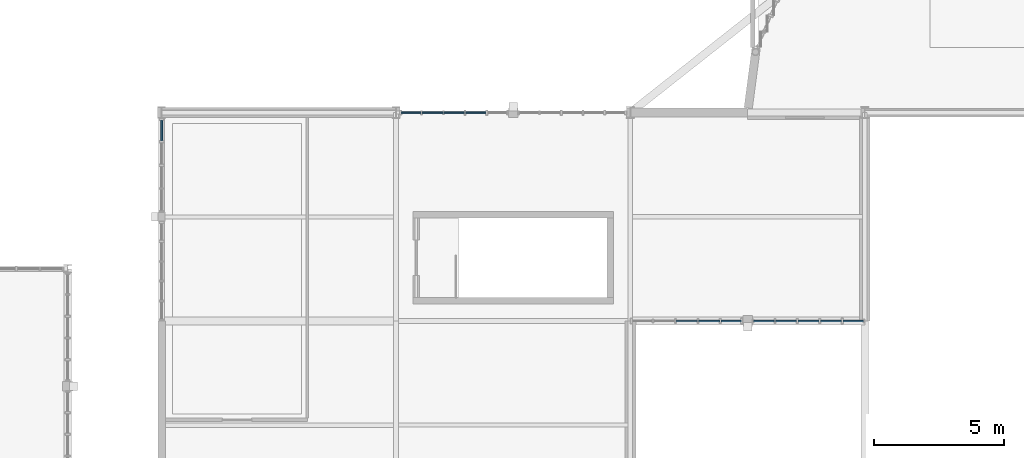
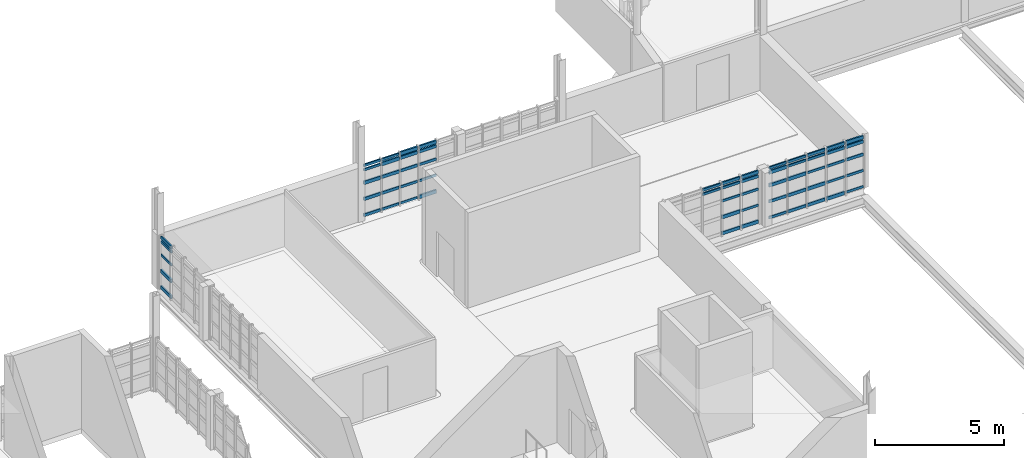
# One storey, part 22 of 44: 62 members, 4 elements without a shape of their own.
"""IFC4 building model written with IfcOpenShell, lengths in metres."""

from ifc_helpers import new_model, si_unit, direction, frame, origin, origin_2d, place, context, subcontext, project, spatial, rectangle, extrude, material, material_profile, profile_set, type_object, element, aggregate, save


model = new_model("IFC4")

# Units and contexts
model_context = context("Model", 3, precision=1e-05, world=origin(), true_north=direction((0.0, 1.0)))
body_context = subcontext(model_context, "Body", "Model", "MODEL_VIEW")
ifc_project = project(units=[si_unit("LENGTHUNIT", "METRE"), si_unit("AREAUNIT", "SQUARE_METRE"), si_unit("VOLUMEUNIT", "CUBIC_METRE"), si_unit("PLANEANGLEUNIT", "RADIAN"), si_unit("MASSUNIT", "GRAM", prefix="KILO")], contexts=[model_context])

# Site, building, storey
site_placement = place(None, origin())
site = spatial("IfcSite", under=ifc_project, at=site_placement, CompositionType="ELEMENT")
building_placement = place(site_placement, origin())
building = spatial("IfcBuilding", under=site, at=building_placement, Name="Serraforn Aerial Cableway Station", CompositionType="ELEMENT")
storey_placement = place(building_placement, frame((0.0, 0.0, 13.800048828125)))
storey = spatial("IfcBuildingStorey", under=building, at=storey_placement, Name="L03", CompositionType="ELEMENT", Elevation=13.800048828125)

# Curtain wall, member
ifc_material_1 = material(Name="Anodised bronze unitised curtain wall")
curtain_wall_type_1 = type_object("IfcCurtainWallType", Name="CW-SYS-15", PredefinedType="USERDEFINED", material=ifc_material_1)
curtain_wall_1_placement = place(storey_placement, origin())
curtain_wall_1 = element("IfcCurtainWall", 1, at=curtain_wall_1_placement, inside=storey, type_object=curtain_wall_type_1, Name="Unitised Curtain Wall CW-CV-L03-W3A", ObjectType="UNITISED CURTAIN WALL", PredefinedType="USERDEFINED")
ifc_material_2 = material(Name="Anodised bronze extruded aluminium", Category="aluminium")
ifc_material_profile_1 = material_profile(ifc_material_2, rectangle(XDim=0.054931640625, YDim=0.110107421875, at=origin_2d()), Name="CW TRANSOM 55x110")
ifc_profile_set_1 = profile_set([ifc_material_profile_1], Name="Anodised bronze extruded aluminium")
member_type_1 = type_object("IfcMemberType", Name="CW-TRN-1", PredefinedType="USERDEFINED", material=ifc_profile_set_1)
member_1_placement = place(storey_placement, frame((27.60009765625, 41.714111328125, 1.6318359375), z_axis=(0.0, -1.0, 0.0), x_axis=(1.0, 0.0, 0.0)))
member_1 = element("IfcMember", 2, at=member_1_placement, type_object=member_type_1, Name="Curtain Wall Transom CW-CV-L03-W3A-T1-3", ObjectType="TRANSOM", PredefinedType="USERDEFINED", context=body_context, shape_type="SweptSolid", body=[
    extrude(rectangle(XDim=0.054931640625, YDim=0.110107421875, at=origin_2d()), origin(), (0.0, 0.0, 1.0), 0.80322265625),
])

# Curtain wall, members
curtain_wall_type_2 = type_object("IfcCurtainWallType", Name="CW-SYS-17", PredefinedType="USERDEFINED", material=ifc_material_1)
curtain_wall_2_placement = place(storey_placement, origin())
curtain_wall_2 = element("IfcCurtainWall", 3, at=curtain_wall_2_placement, inside=storey, type_object=curtain_wall_type_2, Name="Unitised Curtain Wall CW-CV-L03-S3A", ObjectType="UNITISED CURTAIN WALL", PredefinedType="USERDEFINED")
member_2_placement = place(storey_placement, frame((47.35595703125, 34.0, 2.243896484375), z_axis=(1.0, 0.0, 0.0), x_axis=(0.0, 1.0, 0.0)))
member_2 = element("IfcMember", 4, at=member_2_placement, type_object=member_type_1, Name="Curtain Wall Transom CW-CV-L03-S3A-T3-4", ObjectType="TRANSOM", PredefinedType="USERDEFINED", context=body_context, shape_type="SweptSolid", body=[
    extrude(rectangle(XDim=0.054931640625, YDim=0.110107421875, at=origin_2d()), origin(), (0.0, 0.0, 1.0), 0.8056640625),
])
member_3_placement = place(storey_placement, frame((48.222412109375, 34.0, 1.6318359375), z_axis=(1.0, 0.0, 0.0), x_axis=(0.0, 1.0, 0.0)))
member_3 = element("IfcMember", 5, at=member_3_placement, type_object=member_type_1, Name="Curtain Wall Transom CW-CV-L03-S3A-T4-3", ObjectType="TRANSOM", PredefinedType="USERDEFINED", context=body_context, shape_type="SweptSolid", body=[
    extrude(rectangle(XDim=0.054931640625, YDim=0.110107421875, at=origin_2d()), origin(), (0.0, 0.0, 1.0), 0.800537109375),
])
member_4_placement = place(storey_placement, frame((49.089111328125, 34.0, 0.866943359375), z_axis=(1.0, 0.0, 0.0), x_axis=(0.0, 1.0, 0.0)))
member_4 = element("IfcMember", 6, at=member_4_placement, type_object=member_type_1, Name="Curtain Wall Transom CW-CV-L03-S3A-T5-2", ObjectType="TRANSOM", PredefinedType="USERDEFINED", context=body_context, shape_type="SweptSolid", body=[
    extrude(rectangle(XDim=0.054931640625, YDim=0.110107421875, at=origin_2d()), origin(), (0.0, 0.0, 1.0), 0.7578125),
])

curtain_wall_type_3 = type_object("IfcCurtainWallType", Name="CW-SYS-18", PredefinedType="USERDEFINED", material=ifc_material_1)
curtain_wall_3_placement = place(storey_placement, origin())
curtain_wall_3 = element("IfcCurtainWall", 7, at=curtain_wall_3_placement, inside=storey, type_object=curtain_wall_type_3, Name="Unitised Curtain Wall CW-CV-L03-S3B", ObjectType="UNITISED CURTAIN WALL", PredefinedType="USERDEFINED")
member_5_placement = place(storey_placement, frame((50.3330078125, 34.0, 2.447998046875), z_axis=(1.0, 0.0, 0.0), x_axis=(0.0, 1.0, 0.0)))
member_5 = element("IfcMember", 8, at=member_5_placement, type_object=member_type_1, Name="Curtain Wall Transom CW-CV-L03-S3B-T1-5", ObjectType="TRANSOM", PredefinedType="USERDEFINED", context=body_context, shape_type="SweptSolid", body=[
    extrude(rectangle(XDim=0.054931640625, YDim=0.110107421875, at=origin_2d()), origin(), (0.0, 0.0, 1.0), 0.782958984375),
])
member_6_placement = place(storey_placement, frame((51.172119140625, 34.0, 2.243896484375), z_axis=(1.0, 0.0, 0.0), x_axis=(0.0, 1.0, 0.0)))
member_6 = element("IfcMember", 9, at=member_6_placement, type_object=member_type_1, Name="Curtain Wall Transom CW-CV-L03-S3B-T2-4", ObjectType="TRANSOM", PredefinedType="USERDEFINED", context=body_context, shape_type="SweptSolid", body=[
    extrude(rectangle(XDim=0.054931640625, YDim=0.110107421875, at=origin_2d()), origin(), (0.0, 0.0, 1.0), 0.805419921875),
])
member_7_placement = place(storey_placement, frame((52.03857421875, 34.0, 1.6318359375), z_axis=(1.0, 0.0, 0.0), x_axis=(0.0, 1.0, 0.0)))
member_7 = element("IfcMember", 10, at=member_7_placement, type_object=member_type_1, Name="Curtain Wall Transom CW-CV-L03-S3B-T3-3", ObjectType="TRANSOM", PredefinedType="USERDEFINED", context=body_context, shape_type="SweptSolid", body=[
    extrude(rectangle(XDim=0.054931640625, YDim=0.110107421875, at=origin_2d()), origin(), (0.0, 0.0, 1.0), 0.800537109375),
])
member_8_placement = place(storey_placement, frame((52.905029296875, 34.0, 0.866943359375), z_axis=(1.0, 0.0, 0.0), x_axis=(0.0, 1.0, 0.0)))
member_8 = element("IfcMember", 11, at=member_8_placement, type_object=member_type_1, Name="Curtain Wall Transom CW-CV-L03-S3B-T4-2", ObjectType="TRANSOM", PredefinedType="USERDEFINED", context=body_context, shape_type="SweptSolid", body=[
    extrude(rectangle(XDim=0.054931640625, YDim=0.110107421875, at=origin_2d()), origin(), (0.0, 0.0, 1.0), 0.79541015625),
])
member_9_placement = place(storey_placement, frame((53.771484375, 34.0, 0.10205078125), z_axis=(1.0, 0.0, 0.0), x_axis=(0.0, 1.0, 0.0)))
member_9 = element("IfcMember", 12, at=member_9_placement, type_object=member_type_1, Name="Curtain Wall Transom CW-CV-L03-S3B-T5-1", ObjectType="TRANSOM", PredefinedType="USERDEFINED", context=body_context, shape_type="SweptSolid", body=[
    extrude(rectangle(XDim=0.054931640625, YDim=0.110107421875, at=origin_2d()), origin(), (0.0, 0.0, 1.0), 0.775634765625),
])

curtain_wall_type_4 = type_object("IfcCurtainWallType", Name="CW-SYS-20", PredefinedType="USERDEFINED", material=ifc_material_1)
curtain_wall_4_placement = place(storey_placement, origin())
curtain_wall_4 = element("IfcCurtainWall", 13, at=curtain_wall_4_placement, inside=storey, type_object=curtain_wall_type_4, Name="Unitised Curtain Wall CW-CV-L03-N2B", ObjectType="UNITISED CURTAIN WALL", PredefinedType="USERDEFINED")
member_10_placement = place(storey_placement, frame((40.052490234375, 42.0, 0.866943359375), z_axis=(-1.0, 0.0, 0.0), x_axis=(0.0, -1.0, 0.0)))
member_10 = element("IfcMember", 14, at=member_10_placement, type_object=member_type_1, Name="Curtain Wall Transom CW-CV-L03-N2B-T2-2", ObjectType="TRANSOM", PredefinedType="USERDEFINED", context=body_context, shape_type="SweptSolid", body=[
    extrude(rectangle(XDim=0.054931640625, YDim=0.110107421875, at=origin_2d()), origin(), (0.0, 0.0, 1.0), 0.765869140625),
])
member_11_placement = place(storey_placement, frame((39.2158203125, 42.0, 0.10205078125), z_axis=(-1.0, 0.0, 0.0), x_axis=(0.0, -1.0, 0.0)))
member_11 = element("IfcMember", 15, at=member_11_placement, type_object=member_type_1, Name="Curtain Wall Transom CW-CV-L03-N2B-T3-1", ObjectType="TRANSOM", PredefinedType="USERDEFINED", context=body_context, shape_type="SweptSolid", body=[
    extrude(rectangle(XDim=0.054931640625, YDim=0.110107421875, at=origin_2d()), origin(), (0.0, 0.0, 1.0), 0.7734375),
])
member_12_placement = place(storey_placement, frame((38.391357421875, 42.0, 2.447998046875), z_axis=(-1.0, 0.0, 0.0), x_axis=(0.0, -1.0, 0.0)))
member_12 = element("IfcMember", 16, at=member_12_placement, type_object=member_type_1, Name="Curtain Wall Transom CW-CV-L03-N2B-T4-5", ObjectType="TRANSOM", PredefinedType="USERDEFINED", context=body_context, shape_type="SweptSolid", body=[
    extrude(rectangle(XDim=0.054931640625, YDim=0.110107421875, at=origin_2d()), origin(), (0.0, 0.0, 1.0), 0.781005859375),
])
member_13_placement = place(storey_placement, frame((37.554443359375, 42.0, 2.243896484375), z_axis=(-1.0, 0.0, 0.0), x_axis=(0.0, -1.0, 0.0)))
member_13 = element("IfcMember", 17, at=member_13_placement, type_object=member_type_1, Name="Curtain Wall Transom CW-CV-L03-N2B-T5-4", ObjectType="TRANSOM", PredefinedType="USERDEFINED", context=body_context, shape_type="SweptSolid", body=[
    extrude(rectangle(XDim=0.054931640625, YDim=0.110107421875, at=origin_2d()), origin(), (0.0, 0.0, 1.0), 0.743408203125),
])

# Member
ifc_material_profile_2 = material_profile(ifc_material_2, rectangle(XDim=0.06005859375, YDim=0.1201171875, at=origin_2d()), Name="CW TRANSOM 60x120")
ifc_profile_set_2 = profile_set([ifc_material_profile_2], Name="Anodised bronze extruded aluminium")
member_type_2 = type_object("IfcMemberType", Name="CW-TRN-2", PredefinedType="USERDEFINED", material=ifc_profile_set_2)
member_14_placement = place(storey_placement, frame((27.60009765625, 41.714111328125, 2.243896484375), z_axis=(0.0, -1.0, 0.0), x_axis=(1.0, 0.0, 0.0)))
member_14 = element("IfcMember", 18, at=member_14_placement, type_object=member_type_2, Name="Curtain Wall Transom CW-CV-L03-W3A-T1-4", ObjectType="TRANSOM", PredefinedType="USERDEFINED", context=body_context, shape_type="SweptSolid", body=[
    extrude(rectangle(XDim=0.06005859375, YDim=0.1201171875, at=origin_2d()), origin(), (0.0, 0.0, 1.0), 0.80322265625),
])

member_15_placement = place(storey_placement, frame((47.35595703125, 34.0, 2.447998046875), z_axis=(1.0, 0.0, 0.0), x_axis=(0.0, 1.0, 0.0)))
member_15 = element("IfcMember", 19, at=member_15_placement, type_object=member_type_2, Name="Curtain Wall Transom CW-CV-L03-S3A-T3-5", ObjectType="TRANSOM", PredefinedType="USERDEFINED", context=body_context, shape_type="SweptSolid", body=[
    extrude(rectangle(XDim=0.06005859375, YDim=0.1201171875, at=origin_2d()), origin(), (0.0, 0.0, 1.0), 0.8056640625),
])

member_16_placement = place(storey_placement, frame((48.222412109375, 34.0, 2.243896484375), z_axis=(1.0, 0.0, 0.0), x_axis=(0.0, 1.0, 0.0)))
member_16 = element("IfcMember", 20, at=member_16_placement, type_object=member_type_2, Name="Curtain Wall Transom CW-CV-L03-S3A-T4-4", ObjectType="TRANSOM", PredefinedType="USERDEFINED", context=body_context, shape_type="SweptSolid", body=[
    extrude(rectangle(XDim=0.06005859375, YDim=0.1201171875, at=origin_2d()), origin(), (0.0, 0.0, 1.0), 0.800537109375),
])

member_17_placement = place(storey_placement, frame((49.089111328125, 34.0, 1.6318359375), z_axis=(1.0, 0.0, 0.0), x_axis=(0.0, 1.0, 0.0)))
member_17 = element("IfcMember", 21, at=member_17_placement, type_object=member_type_2, Name="Curtain Wall Transom CW-CV-L03-S3A-T5-3", ObjectType="TRANSOM", PredefinedType="USERDEFINED", context=body_context, shape_type="SweptSolid", body=[
    extrude(rectangle(XDim=0.06005859375, YDim=0.1201171875, at=origin_2d()), origin(), (0.0, 0.0, 1.0), 0.7578125),
])

member_18_placement = place(storey_placement, frame((50.3330078125, 34.0, 0.10205078125), z_axis=(1.0, 0.0, 0.0), x_axis=(0.0, 1.0, 0.0)))
member_18 = element("IfcMember", 22, at=member_18_placement, type_object=member_type_2, Name="Curtain Wall Transom CW-CV-L03-S3B-T1-1", ObjectType="TRANSOM", PredefinedType="USERDEFINED", context=body_context, shape_type="SweptSolid", body=[
    extrude(rectangle(XDim=0.06005859375, YDim=0.1201171875, at=origin_2d()), origin(), (0.0, 0.0, 1.0), 0.782958984375),
])

member_19_placement = place(storey_placement, frame((51.172119140625, 34.0, 2.447998046875), z_axis=(1.0, 0.0, 0.0), x_axis=(0.0, 1.0, 0.0)))
member_19 = element("IfcMember", 23, at=member_19_placement, type_object=member_type_2, Name="Curtain Wall Transom CW-CV-L03-S3B-T2-5", ObjectType="TRANSOM", PredefinedType="USERDEFINED", context=body_context, shape_type="SweptSolid", body=[
    extrude(rectangle(XDim=0.06005859375, YDim=0.1201171875, at=origin_2d()), origin(), (0.0, 0.0, 1.0), 0.805419921875),
])

member_20_placement = place(storey_placement, frame((52.03857421875, 34.0, 2.243896484375), z_axis=(1.0, 0.0, 0.0), x_axis=(0.0, 1.0, 0.0)))
member_20 = element("IfcMember", 24, at=member_20_placement, type_object=member_type_2, Name="Curtain Wall Transom CW-CV-L03-S3B-T3-4", ObjectType="TRANSOM", PredefinedType="USERDEFINED", context=body_context, shape_type="SweptSolid", body=[
    extrude(rectangle(XDim=0.06005859375, YDim=0.1201171875, at=origin_2d()), origin(), (0.0, 0.0, 1.0), 0.800537109375),
])

member_21_placement = place(storey_placement, frame((52.905029296875, 34.0, 1.6318359375), z_axis=(1.0, 0.0, 0.0), x_axis=(0.0, 1.0, 0.0)))
member_21 = element("IfcMember", 25, at=member_21_placement, type_object=member_type_2, Name="Curtain Wall Transom CW-CV-L03-S3B-T4-3", ObjectType="TRANSOM", PredefinedType="USERDEFINED", context=body_context, shape_type="SweptSolid", body=[
    extrude(rectangle(XDim=0.06005859375, YDim=0.1201171875, at=origin_2d()), origin(), (0.0, 0.0, 1.0), 0.79541015625),
])

member_22_placement = place(storey_placement, frame((53.771484375, 34.0, 0.866943359375), z_axis=(1.0, 0.0, 0.0), x_axis=(0.0, 1.0, 0.0)))
member_22 = element("IfcMember", 26, at=member_22_placement, type_object=member_type_2, Name="Curtain Wall Transom CW-CV-L03-S3B-T5-2", ObjectType="TRANSOM", PredefinedType="USERDEFINED", context=body_context, shape_type="SweptSolid", body=[
    extrude(rectangle(XDim=0.06005859375, YDim=0.1201171875, at=origin_2d()), origin(), (0.0, 0.0, 1.0), 0.775634765625),
])

member_23_placement = place(storey_placement, frame((40.052490234375, 42.0, 1.6318359375), z_axis=(-1.0, 0.0, 0.0), x_axis=(0.0, -1.0, 0.0)))
member_23 = element("IfcMember", 27, at=member_23_placement, type_object=member_type_2, Name="Curtain Wall Transom CW-CV-L03-N2B-T2-3", ObjectType="TRANSOM", PredefinedType="USERDEFINED", context=body_context, shape_type="SweptSolid", body=[
    extrude(rectangle(XDim=0.06005859375, YDim=0.1201171875, at=origin_2d()), origin(), (0.0, 0.0, 1.0), 0.765869140625),
])

member_24_placement = place(storey_placement, frame((39.2158203125, 42.0, 0.866943359375), z_axis=(-1.0, 0.0, 0.0), x_axis=(0.0, -1.0, 0.0)))
member_24 = element("IfcMember", 28, at=member_24_placement, type_object=member_type_2, Name="Curtain Wall Transom CW-CV-L03-N2B-T3-2", ObjectType="TRANSOM", PredefinedType="USERDEFINED", context=body_context, shape_type="SweptSolid", body=[
    extrude(rectangle(XDim=0.06005859375, YDim=0.1201171875, at=origin_2d()), origin(), (0.0, 0.0, 1.0), 0.7734375),
])

member_25_placement = place(storey_placement, frame((38.391357421875, 42.0, 0.10205078125), z_axis=(-1.0, 0.0, 0.0), x_axis=(0.0, -1.0, 0.0)))
member_25 = element("IfcMember", 29, at=member_25_placement, type_object=member_type_2, Name="Curtain Wall Transom CW-CV-L03-N2B-T4-1", ObjectType="TRANSOM", PredefinedType="USERDEFINED", context=body_context, shape_type="SweptSolid", body=[
    extrude(rectangle(XDim=0.06005859375, YDim=0.1201171875, at=origin_2d()), origin(), (0.0, 0.0, 1.0), 0.781005859375),
])

member_26_placement = place(storey_placement, frame((37.554443359375, 42.0, 2.447998046875), z_axis=(-1.0, 0.0, 0.0), x_axis=(0.0, -1.0, 0.0)))
member_26 = element("IfcMember", 30, at=member_26_placement, type_object=member_type_2, Name="Curtain Wall Transom CW-CV-L03-N2B-T5-5", ObjectType="TRANSOM", PredefinedType="USERDEFINED", context=body_context, shape_type="SweptSolid", body=[
    extrude(rectangle(XDim=0.06005859375, YDim=0.1201171875, at=origin_2d()), origin(), (0.0, 0.0, 1.0), 0.743408203125),
])

ifc_material_profile_3 = material_profile(ifc_material_2, rectangle(XDim=0.06494140625, YDim=0.135009765625, at=origin_2d()), Name="CW TRANSOM 65x135")
ifc_profile_set_3 = profile_set([ifc_material_profile_3], Name="Anodised bronze extruded aluminium")
member_type_3 = type_object("IfcMemberType", Name="CW-TRN-3", PredefinedType="USERDEFINED", material=ifc_profile_set_3)
member_27_placement = place(storey_placement, frame((27.60009765625, 41.714111328125, 2.447998046875), z_axis=(0.0, -1.0, 0.0), x_axis=(1.0, 0.0, 0.0)))
member_27 = element("IfcMember", 31, at=member_27_placement, type_object=member_type_3, Name="Curtain Wall Transom CW-CV-L03-W3A-T1-5", ObjectType="TRANSOM", PredefinedType="USERDEFINED", context=body_context, shape_type="SweptSolid", body=[
    extrude(rectangle(XDim=0.06494140625, YDim=0.135009765625, at=origin_2d()), origin(), (0.0, 0.0, 1.0), 0.80322265625),
])

member_28_placement = place(storey_placement, frame((48.222412109375, 34.0, 2.447998046875), z_axis=(1.0, 0.0, 0.0), x_axis=(0.0, 1.0, 0.0)))
member_28 = element("IfcMember", 32, at=member_28_placement, type_object=member_type_3, Name="Curtain Wall Transom CW-CV-L03-S3A-T4-5", ObjectType="TRANSOM", PredefinedType="USERDEFINED", context=body_context, shape_type="SweptSolid", body=[
    extrude(rectangle(XDim=0.06494140625, YDim=0.135009765625, at=origin_2d()), origin(), (0.0, 0.0, 1.0), 0.800537109375),
])

member_29_placement = place(storey_placement, frame((49.089111328125, 34.0, 2.243896484375), z_axis=(1.0, 0.0, 0.0), x_axis=(0.0, 1.0, 0.0)))
member_29 = element("IfcMember", 33, at=member_29_placement, type_object=member_type_3, Name="Curtain Wall Transom CW-CV-L03-S3A-T5-4", ObjectType="TRANSOM", PredefinedType="USERDEFINED", context=body_context, shape_type="SweptSolid", body=[
    extrude(rectangle(XDim=0.06494140625, YDim=0.135009765625, at=origin_2d()), origin(), (0.0, 0.0, 1.0), 0.7578125),
])

member_30_placement = place(storey_placement, frame((50.3330078125, 34.0, 0.866943359375), z_axis=(1.0, 0.0, 0.0), x_axis=(0.0, 1.0, 0.0)))
member_30 = element("IfcMember", 34, at=member_30_placement, type_object=member_type_3, Name="Curtain Wall Transom CW-CV-L03-S3B-T1-2", ObjectType="TRANSOM", PredefinedType="USERDEFINED", context=body_context, shape_type="SweptSolid", body=[
    extrude(rectangle(XDim=0.06494140625, YDim=0.135009765625, at=origin_2d()), origin(), (0.0, 0.0, 1.0), 0.782958984375),
])

member_31_placement = place(storey_placement, frame((51.172119140625, 34.0, 0.10205078125), z_axis=(1.0, 0.0, 0.0), x_axis=(0.0, 1.0, 0.0)))
member_31 = element("IfcMember", 35, at=member_31_placement, type_object=member_type_3, Name="Curtain Wall Transom CW-CV-L03-S3B-T2-1", ObjectType="TRANSOM", PredefinedType="USERDEFINED", context=body_context, shape_type="SweptSolid", body=[
    extrude(rectangle(XDim=0.06494140625, YDim=0.135009765625, at=origin_2d()), origin(), (0.0, 0.0, 1.0), 0.805419921875),
])

member_32_placement = place(storey_placement, frame((52.03857421875, 34.0, 2.447998046875), z_axis=(1.0, 0.0, 0.0), x_axis=(0.0, 1.0, 0.0)))
member_32 = element("IfcMember", 36, at=member_32_placement, type_object=member_type_3, Name="Curtain Wall Transom CW-CV-L03-S3B-T3-5", ObjectType="TRANSOM", PredefinedType="USERDEFINED", context=body_context, shape_type="SweptSolid", body=[
    extrude(rectangle(XDim=0.06494140625, YDim=0.135009765625, at=origin_2d()), origin(), (0.0, 0.0, 1.0), 0.800537109375),
])

member_33_placement = place(storey_placement, frame((52.905029296875, 34.0, 2.243896484375), z_axis=(1.0, 0.0, 0.0), x_axis=(0.0, 1.0, 0.0)))
member_33 = element("IfcMember", 37, at=member_33_placement, type_object=member_type_3, Name="Curtain Wall Transom CW-CV-L03-S3B-T4-4", ObjectType="TRANSOM", PredefinedType="USERDEFINED", context=body_context, shape_type="SweptSolid", body=[
    extrude(rectangle(XDim=0.06494140625, YDim=0.135009765625, at=origin_2d()), origin(), (0.0, 0.0, 1.0), 0.79541015625),
])

member_34_placement = place(storey_placement, frame((53.771484375, 34.0, 1.6318359375), z_axis=(1.0, 0.0, 0.0), x_axis=(0.0, 1.0, 0.0)))
member_34 = element("IfcMember", 38, at=member_34_placement, type_object=member_type_3, Name="Curtain Wall Transom CW-CV-L03-S3B-T5-3", ObjectType="TRANSOM", PredefinedType="USERDEFINED", context=body_context, shape_type="SweptSolid", body=[
    extrude(rectangle(XDim=0.06494140625, YDim=0.135009765625, at=origin_2d()), origin(), (0.0, 0.0, 1.0), 0.775634765625),
])

member_35_placement = place(storey_placement, frame((40.052490234375, 42.0, 2.243896484375), z_axis=(-1.0, 0.0, 0.0), x_axis=(0.0, -1.0, 0.0)))
member_35 = element("IfcMember", 39, at=member_35_placement, type_object=member_type_3, Name="Curtain Wall Transom CW-CV-L03-N2B-T2-4", ObjectType="TRANSOM", PredefinedType="USERDEFINED", context=body_context, shape_type="SweptSolid", body=[
    extrude(rectangle(XDim=0.06494140625, YDim=0.135009765625, at=origin_2d()), origin(), (0.0, 0.0, 1.0), 0.765869140625),
])

member_36_placement = place(storey_placement, frame((39.2158203125, 42.0, 1.6318359375), z_axis=(-1.0, 0.0, 0.0), x_axis=(0.0, -1.0, 0.0)))
member_36 = element("IfcMember", 40, at=member_36_placement, type_object=member_type_3, Name="Curtain Wall Transom CW-CV-L03-N2B-T3-3", ObjectType="TRANSOM", PredefinedType="USERDEFINED", context=body_context, shape_type="SweptSolid", body=[
    extrude(rectangle(XDim=0.06494140625, YDim=0.135009765625, at=origin_2d()), origin(), (0.0, 0.0, 1.0), 0.7734375),
])

member_37_placement = place(storey_placement, frame((38.391357421875, 42.0, 0.866943359375), z_axis=(-1.0, 0.0, 0.0), x_axis=(0.0, -1.0, 0.0)))
member_37 = element("IfcMember", 41, at=member_37_placement, type_object=member_type_3, Name="Curtain Wall Transom CW-CV-L03-N2B-T4-2", ObjectType="TRANSOM", PredefinedType="USERDEFINED", context=body_context, shape_type="SweptSolid", body=[
    extrude(rectangle(XDim=0.06494140625, YDim=0.135009765625, at=origin_2d()), origin(), (0.0, 0.0, 1.0), 0.781005859375),
])

member_38_placement = place(storey_placement, frame((37.554443359375, 42.0, 0.10205078125), z_axis=(-1.0, 0.0, 0.0), x_axis=(0.0, -1.0, 0.0)))
member_38 = element("IfcMember", 42, at=member_38_placement, type_object=member_type_3, Name="Curtain Wall Transom CW-CV-L03-N2B-T5-1", ObjectType="TRANSOM", PredefinedType="USERDEFINED", context=body_context, shape_type="SweptSolid", body=[
    extrude(rectangle(XDim=0.06494140625, YDim=0.135009765625, at=origin_2d()), origin(), (0.0, 0.0, 1.0), 0.743408203125),
])

ifc_material_profile_4 = material_profile(ifc_material_2, rectangle(XDim=0.070068359375, YDim=0.14990234375, at=origin_2d()), Name="CW TRANSOM 70x150")
ifc_profile_set_4 = profile_set([ifc_material_profile_4], Name="Anodised bronze extruded aluminium")
member_type_4 = type_object("IfcMemberType", Name="CW-TRN-4", PredefinedType="USERDEFINED", material=ifc_profile_set_4)
member_39_placement = place(storey_placement, frame((27.60009765625, 41.714111328125, 0.10205078125), z_axis=(0.0, -1.0, 0.0), x_axis=(1.0, 0.0, 0.0)))
member_39 = element("IfcMember", 43, at=member_39_placement, type_object=member_type_4, Name="Curtain Wall Transom CW-CV-L03-W3A-T1-1", ObjectType="TRANSOM", PredefinedType="USERDEFINED", context=body_context, shape_type="SweptSolid", body=[
    extrude(rectangle(XDim=0.070068359375, YDim=0.14990234375, at=origin_2d()), origin(), (0.0, 0.0, 1.0), 0.80322265625),
])

member_40_placement = place(storey_placement, frame((48.222412109375, 34.0, 0.10205078125), z_axis=(1.0, 0.0, 0.0), x_axis=(0.0, 1.0, 0.0)))
member_40 = element("IfcMember", 44, at=member_40_placement, type_object=member_type_4, Name="Curtain Wall Transom CW-CV-L03-S3A-T4-1", ObjectType="TRANSOM", PredefinedType="USERDEFINED", context=body_context, shape_type="SweptSolid", body=[
    extrude(rectangle(XDim=0.070068359375, YDim=0.14990234375, at=origin_2d()), origin(), (0.0, 0.0, 1.0), 0.800537109375),
])

member_41_placement = place(storey_placement, frame((49.089111328125, 34.0, 2.447998046875), z_axis=(1.0, 0.0, 0.0), x_axis=(0.0, 1.0, 0.0)))
member_41 = element("IfcMember", 45, at=member_41_placement, type_object=member_type_4, Name="Curtain Wall Transom CW-CV-L03-S3A-T5-5", ObjectType="TRANSOM", PredefinedType="USERDEFINED", context=body_context, shape_type="SweptSolid", body=[
    extrude(rectangle(XDim=0.070068359375, YDim=0.14990234375, at=origin_2d()), origin(), (0.0, 0.0, 1.0), 0.7578125),
])

member_42_placement = place(storey_placement, frame((50.3330078125, 34.0, 1.6318359375), z_axis=(1.0, 0.0, 0.0), x_axis=(0.0, 1.0, 0.0)))
member_42 = element("IfcMember", 46, at=member_42_placement, type_object=member_type_4, Name="Curtain Wall Transom CW-CV-L03-S3B-T1-3", ObjectType="TRANSOM", PredefinedType="USERDEFINED", context=body_context, shape_type="SweptSolid", body=[
    extrude(rectangle(XDim=0.070068359375, YDim=0.14990234375, at=origin_2d()), origin(), (0.0, 0.0, 1.0), 0.782958984375),
])

member_43_placement = place(storey_placement, frame((51.172119140625, 34.0, 0.866943359375), z_axis=(1.0, 0.0, 0.0), x_axis=(0.0, 1.0, 0.0)))
member_43 = element("IfcMember", 47, at=member_43_placement, type_object=member_type_4, Name="Curtain Wall Transom CW-CV-L03-S3B-T2-2", ObjectType="TRANSOM", PredefinedType="USERDEFINED", context=body_context, shape_type="SweptSolid", body=[
    extrude(rectangle(XDim=0.070068359375, YDim=0.14990234375, at=origin_2d()), origin(), (0.0, 0.0, 1.0), 0.805419921875),
])

member_44_placement = place(storey_placement, frame((52.03857421875, 34.0, 0.10205078125), z_axis=(1.0, 0.0, 0.0), x_axis=(0.0, 1.0, 0.0)))
member_44 = element("IfcMember", 48, at=member_44_placement, type_object=member_type_4, Name="Curtain Wall Transom CW-CV-L03-S3B-T3-1", ObjectType="TRANSOM", PredefinedType="USERDEFINED", context=body_context, shape_type="SweptSolid", body=[
    extrude(rectangle(XDim=0.070068359375, YDim=0.14990234375, at=origin_2d()), origin(), (0.0, 0.0, 1.0), 0.800537109375),
])

member_45_placement = place(storey_placement, frame((52.905029296875, 34.0, 2.447998046875), z_axis=(1.0, 0.0, 0.0), x_axis=(0.0, 1.0, 0.0)))
member_45 = element("IfcMember", 49, at=member_45_placement, type_object=member_type_4, Name="Curtain Wall Transom CW-CV-L03-S3B-T4-5", ObjectType="TRANSOM", PredefinedType="USERDEFINED", context=body_context, shape_type="SweptSolid", body=[
    extrude(rectangle(XDim=0.070068359375, YDim=0.14990234375, at=origin_2d()), origin(), (0.0, 0.0, 1.0), 0.79541015625),
])

member_46_placement = place(storey_placement, frame((53.771484375, 34.0, 2.243896484375), z_axis=(1.0, 0.0, 0.0), x_axis=(0.0, 1.0, 0.0)))
member_46 = element("IfcMember", 50, at=member_46_placement, type_object=member_type_4, Name="Curtain Wall Transom CW-CV-L03-S3B-T5-4", ObjectType="TRANSOM", PredefinedType="USERDEFINED", context=body_context, shape_type="SweptSolid", body=[
    extrude(rectangle(XDim=0.070068359375, YDim=0.14990234375, at=origin_2d()), origin(), (0.0, 0.0, 1.0), 0.775634765625),
])

member_47_placement = place(storey_placement, frame((40.052490234375, 42.0, 2.447998046875), z_axis=(-1.0, 0.0, 0.0), x_axis=(0.0, -1.0, 0.0)))
member_47 = element("IfcMember", 51, at=member_47_placement, type_object=member_type_4, Name="Curtain Wall Transom CW-CV-L03-N2B-T2-5", ObjectType="TRANSOM", PredefinedType="USERDEFINED", context=body_context, shape_type="SweptSolid", body=[
    extrude(rectangle(XDim=0.070068359375, YDim=0.14990234375, at=origin_2d()), origin(), (0.0, 0.0, 1.0), 0.765869140625),
])

member_48_placement = place(storey_placement, frame((39.2158203125, 42.0, 2.243896484375), z_axis=(-1.0, 0.0, 0.0), x_axis=(0.0, -1.0, 0.0)))
member_48 = element("IfcMember", 52, at=member_48_placement, type_object=member_type_4, Name="Curtain Wall Transom CW-CV-L03-N2B-T3-4", ObjectType="TRANSOM", PredefinedType="USERDEFINED", context=body_context, shape_type="SweptSolid", body=[
    extrude(rectangle(XDim=0.070068359375, YDim=0.14990234375, at=origin_2d()), origin(), (0.0, 0.0, 1.0), 0.7734375),
])

member_49_placement = place(storey_placement, frame((38.391357421875, 42.0, 1.6318359375), z_axis=(-1.0, 0.0, 0.0), x_axis=(0.0, -1.0, 0.0)))
member_49 = element("IfcMember", 53, at=member_49_placement, type_object=member_type_4, Name="Curtain Wall Transom CW-CV-L03-N2B-T4-3", ObjectType="TRANSOM", PredefinedType="USERDEFINED", context=body_context, shape_type="SweptSolid", body=[
    extrude(rectangle(XDim=0.070068359375, YDim=0.14990234375, at=origin_2d()), origin(), (0.0, 0.0, 1.0), 0.781005859375),
])

member_50_placement = place(storey_placement, frame((37.554443359375, 42.0, 0.866943359375), z_axis=(-1.0, 0.0, 0.0), x_axis=(0.0, -1.0, 0.0)))
member_50 = element("IfcMember", 54, at=member_50_placement, type_object=member_type_4, Name="Curtain Wall Transom CW-CV-L03-N2B-T5-2", ObjectType="TRANSOM", PredefinedType="USERDEFINED", context=body_context, shape_type="SweptSolid", body=[
    extrude(rectangle(XDim=0.070068359375, YDim=0.14990234375, at=origin_2d()), origin(), (0.0, 0.0, 1.0), 0.743408203125),
])

ifc_material_profile_5 = material_profile(ifc_material_2, rectangle(XDim=0.074951171875, YDim=0.1650390625, at=origin_2d()), Name="CW TRANSOM 75x165")
ifc_profile_set_5 = profile_set([ifc_material_profile_5], Name="Anodised bronze extruded aluminium")
member_type_5 = type_object("IfcMemberType", Name="CW-TRN-5", PredefinedType="USERDEFINED", material=ifc_profile_set_5)
member_51_placement = place(storey_placement, frame((27.60009765625, 41.714111328125, 0.866943359375), z_axis=(0.0, -1.0, 0.0), x_axis=(1.0, 0.0, 0.0)))
member_51 = element("IfcMember", 55, at=member_51_placement, type_object=member_type_5, Name="Curtain Wall Transom CW-CV-L03-W3A-T1-2", ObjectType="TRANSOM", PredefinedType="USERDEFINED", context=body_context, shape_type="SweptSolid", body=[
    extrude(rectangle(XDim=0.074951171875, YDim=0.1650390625, at=origin_2d()), origin(), (0.0, 0.0, 1.0), 0.80322265625),
])

aggregate(curtain_wall_1, [member_39, member_51, member_1, member_14, member_27])

member_52_placement = place(storey_placement, frame((48.222412109375, 34.0, 0.866943359375), z_axis=(1.0, 0.0, 0.0), x_axis=(0.0, 1.0, 0.0)))
member_52 = element("IfcMember", 56, at=member_52_placement, type_object=member_type_5, Name="Curtain Wall Transom CW-CV-L03-S3A-T4-2", ObjectType="TRANSOM", PredefinedType="USERDEFINED", context=body_context, shape_type="SweptSolid", body=[
    extrude(rectangle(XDim=0.074951171875, YDim=0.1650390625, at=origin_2d()), origin(), (0.0, 0.0, 1.0), 0.800537109375),
])

member_53_placement = place(storey_placement, frame((49.089111328125, 34.0, 0.10205078125), z_axis=(1.0, 0.0, 0.0), x_axis=(0.0, 1.0, 0.0)))
member_53 = element("IfcMember", 57, at=member_53_placement, type_object=member_type_5, Name="Curtain Wall Transom CW-CV-L03-S3A-T5-1", ObjectType="TRANSOM", PredefinedType="USERDEFINED", context=body_context, shape_type="SweptSolid", body=[
    extrude(rectangle(XDim=0.074951171875, YDim=0.1650390625, at=origin_2d()), origin(), (0.0, 0.0, 1.0), 0.7578125),
])

aggregate(curtain_wall_2, [member_2, member_15, member_40, member_52, member_3, member_16, member_28, member_53, member_4, member_17, member_29, member_41])

member_54_placement = place(storey_placement, frame((50.3330078125, 34.0, 2.243896484375), z_axis=(1.0, 0.0, 0.0), x_axis=(0.0, 1.0, 0.0)))
member_54 = element("IfcMember", 58, at=member_54_placement, type_object=member_type_5, Name="Curtain Wall Transom CW-CV-L03-S3B-T1-4", ObjectType="TRANSOM", PredefinedType="USERDEFINED", context=body_context, shape_type="SweptSolid", body=[
    extrude(rectangle(XDim=0.074951171875, YDim=0.1650390625, at=origin_2d()), origin(), (0.0, 0.0, 1.0), 0.782958984375),
])

member_55_placement = place(storey_placement, frame((51.172119140625, 34.0, 1.6318359375), z_axis=(1.0, 0.0, 0.0), x_axis=(0.0, 1.0, 0.0)))
member_55 = element("IfcMember", 59, at=member_55_placement, type_object=member_type_5, Name="Curtain Wall Transom CW-CV-L03-S3B-T2-3", ObjectType="TRANSOM", PredefinedType="USERDEFINED", context=body_context, shape_type="SweptSolid", body=[
    extrude(rectangle(XDim=0.074951171875, YDim=0.1650390625, at=origin_2d()), origin(), (0.0, 0.0, 1.0), 0.805419921875),
])

member_56_placement = place(storey_placement, frame((52.03857421875, 34.0, 0.866943359375), z_axis=(1.0, 0.0, 0.0), x_axis=(0.0, 1.0, 0.0)))
member_56 = element("IfcMember", 60, at=member_56_placement, type_object=member_type_5, Name="Curtain Wall Transom CW-CV-L03-S3B-T3-2", ObjectType="TRANSOM", PredefinedType="USERDEFINED", context=body_context, shape_type="SweptSolid", body=[
    extrude(rectangle(XDim=0.074951171875, YDim=0.1650390625, at=origin_2d()), origin(), (0.0, 0.0, 1.0), 0.800537109375),
])

member_57_placement = place(storey_placement, frame((52.905029296875, 34.0, 0.10205078125), z_axis=(1.0, 0.0, 0.0), x_axis=(0.0, 1.0, 0.0)))
member_57 = element("IfcMember", 61, at=member_57_placement, type_object=member_type_5, Name="Curtain Wall Transom CW-CV-L03-S3B-T4-1", ObjectType="TRANSOM", PredefinedType="USERDEFINED", context=body_context, shape_type="SweptSolid", body=[
    extrude(rectangle(XDim=0.074951171875, YDim=0.1650390625, at=origin_2d()), origin(), (0.0, 0.0, 1.0), 0.79541015625),
])

member_58_placement = place(storey_placement, frame((53.771484375, 34.0, 2.447998046875), z_axis=(1.0, 0.0, 0.0), x_axis=(0.0, 1.0, 0.0)))
member_58 = element("IfcMember", 62, at=member_58_placement, type_object=member_type_5, Name="Curtain Wall Transom CW-CV-L03-S3B-T5-5", ObjectType="TRANSOM", PredefinedType="USERDEFINED", context=body_context, shape_type="SweptSolid", body=[
    extrude(rectangle(XDim=0.074951171875, YDim=0.1650390625, at=origin_2d()), origin(), (0.0, 0.0, 1.0), 0.775634765625),
])

aggregate(curtain_wall_3, [member_18, member_30, member_42, member_54, member_5, member_31, member_43, member_55, member_6, member_19, member_44, member_56, member_7, member_20, member_32, member_57, member_8, member_21, member_33, member_45, member_9, member_22, member_34, member_46, member_58])

member_59_placement = place(storey_placement, frame((40.052490234375, 42.0, 0.10205078125), z_axis=(-1.0, 0.0, 0.0), x_axis=(0.0, -1.0, 0.0)))
member_59 = element("IfcMember", 63, at=member_59_placement, type_object=member_type_5, Name="Curtain Wall Transom CW-CV-L03-N2B-T2-1", ObjectType="TRANSOM", PredefinedType="USERDEFINED", context=body_context, shape_type="SweptSolid", body=[
    extrude(rectangle(XDim=0.074951171875, YDim=0.1650390625, at=origin_2d()), origin(), (0.0, 0.0, 1.0), 0.765869140625),
])

member_60_placement = place(storey_placement, frame((39.2158203125, 42.0, 2.447998046875), z_axis=(-1.0, 0.0, 0.0), x_axis=(0.0, -1.0, 0.0)))
member_60 = element("IfcMember", 64, at=member_60_placement, type_object=member_type_5, Name="Curtain Wall Transom CW-CV-L03-N2B-T3-5", ObjectType="TRANSOM", PredefinedType="USERDEFINED", context=body_context, shape_type="SweptSolid", body=[
    extrude(rectangle(XDim=0.074951171875, YDim=0.1650390625, at=origin_2d()), origin(), (0.0, 0.0, 1.0), 0.7734375),
])

member_61_placement = place(storey_placement, frame((38.391357421875, 42.0, 2.243896484375), z_axis=(-1.0, 0.0, 0.0), x_axis=(0.0, -1.0, 0.0)))
member_61 = element("IfcMember", 65, at=member_61_placement, type_object=member_type_5, Name="Curtain Wall Transom CW-CV-L03-N2B-T4-4", ObjectType="TRANSOM", PredefinedType="USERDEFINED", context=body_context, shape_type="SweptSolid", body=[
    extrude(rectangle(XDim=0.074951171875, YDim=0.1650390625, at=origin_2d()), origin(), (0.0, 0.0, 1.0), 0.781005859375),
])

member_62_placement = place(storey_placement, frame((37.554443359375, 42.0, 1.6318359375), z_axis=(-1.0, 0.0, 0.0), x_axis=(0.0, -1.0, 0.0)))
member_62 = element("IfcMember", 66, at=member_62_placement, type_object=member_type_5, Name="Curtain Wall Transom CW-CV-L03-N2B-T5-3", ObjectType="TRANSOM", PredefinedType="USERDEFINED", context=body_context, shape_type="SweptSolid", body=[
    extrude(rectangle(XDim=0.074951171875, YDim=0.1650390625, at=origin_2d()), origin(), (0.0, 0.0, 1.0), 0.743408203125),
])

aggregate(curtain_wall_4, [member_59, member_10, member_23, member_35, member_47, member_11, member_24, member_36, member_48, member_60, member_25, member_37, member_49, member_61, member_12, member_38, member_50, member_62, member_13, member_26])

save(model, "model.ifc")
